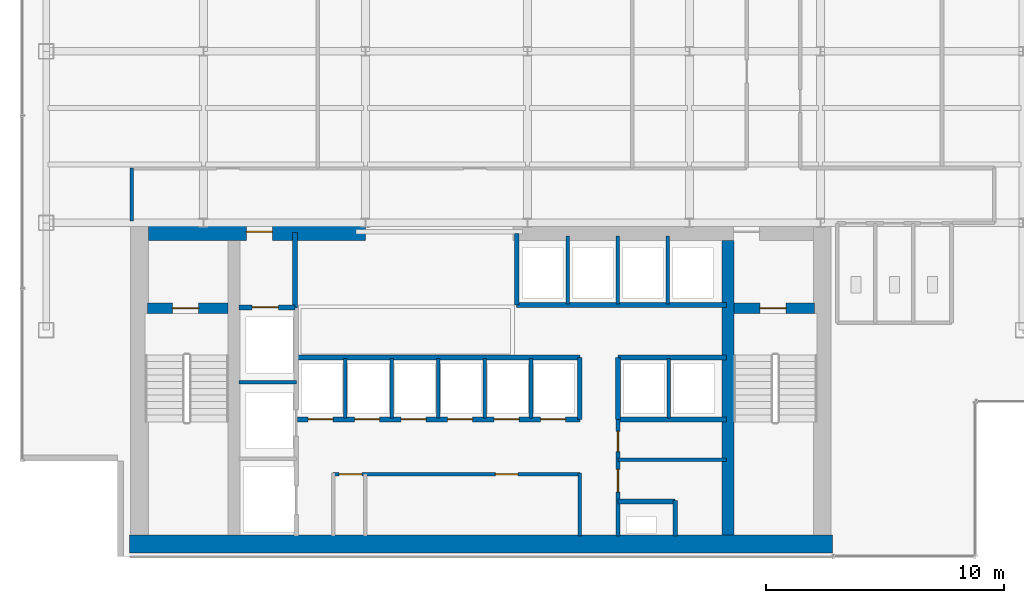
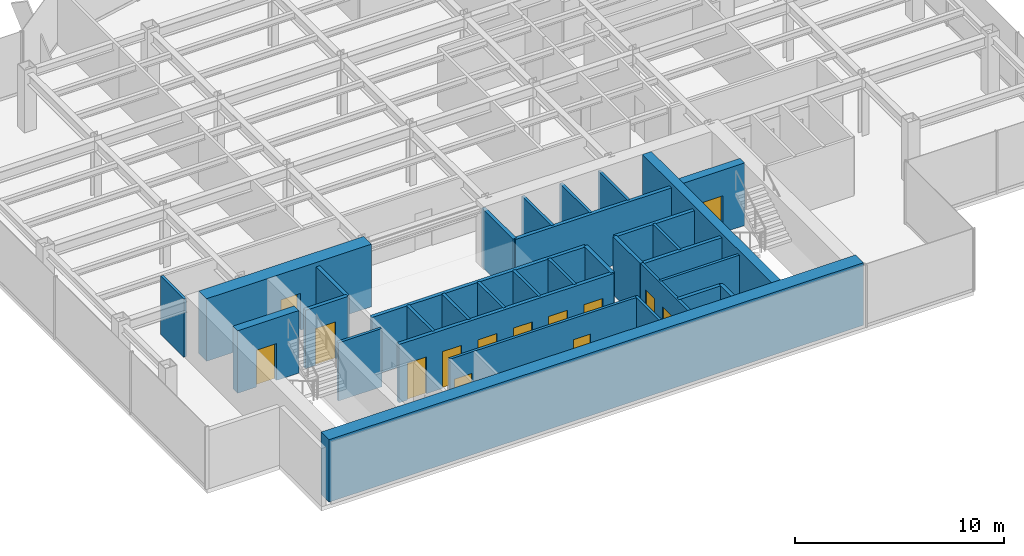
# One storey, part 20 of 25: 32 walls, 14 doors, 14 openings.
"""IFC4 building model written with IfcOpenShell, lengths in metres."""

import ifcopenshell
import ifcopenshell.guid

model = None  # the IFC model being written
_history = None  # IfcOwnerHistory: only IFC2X3 demands one
_inside = {}  # id of a spatial element -> (the spatial element, [elements in it])
_under = {}  # id of a project, library or spatial element -> (it, [spatial elements below it])
_declared = {}  # id of a project -> (the project, [libraries it declares])
_typed = {}  # id of a type object -> (the type object, [elements of that type])
_made_of = {}  # id of a material, layer set ... -> (it, [elements and type objects made of it])


def new_model(schema):
    """Start an empty IFC model of exactly this schema.

    Asked for "IFC4X3", IfcOpenShell would pick the latest addendum, in which some entities
    have other attributes; the version numbers below select the first issue.
    IFC2X3 requires an IfcOwnerHistory on every rooted entity: one is made here for all.
    """
    global model, _history
    if schema == "IFC4X3":
        model = ifcopenshell.file(schema_version=(4, 3, 0, 0))
    else:
        model = ifcopenshell.file(schema=schema)
    _inside.clear()
    _under.clear()
    _declared.clear()
    _typed.clear()
    _made_of.clear()
    _history = None
    if model.schema == "IFC2X3":
        org = make("IfcOrganization", Name="unknown")
        user = make(
            "IfcPersonAndOrganization",
            ThePerson=make("IfcPerson", FamilyName="unknown"),
            TheOrganization=org,
        )
        app = make(
            "IfcApplication",
            ApplicationDeveloper=org,
            Version="unknown",
            ApplicationFullName="unknown",
            ApplicationIdentifier="unknown",
        )
        _history = make(
            "IfcOwnerHistory",
            OwningUser=user,
            OwningApplication=app,
            ChangeAction="ADDED",
            CreationDate=0,
        )
    return model


def make(cls, **values):
    """One entity of the class cls with the attributes given. An attribute that is None is left unset."""
    return model.create_entity(
        cls, **{name: value for name, value in values.items() if value is not None}
    )


def rooted(cls, **values):
    """An entity with a GlobalId (a new one), such as an element, a storey or a relation."""
    return make(cls, GlobalId=ifcopenshell.guid.new(), OwnerHistory=_history, **values)


def si_unit(unit_type, name, prefix=None):
    """IfcSIUnit, for example si_unit("LENGTHUNIT", "METRE", prefix="MILLI")."""
    return make("IfcSIUnit", UnitType=unit_type, Prefix=prefix, Name=name)


def derived_unit(unit_type, elements):
    """IfcDerivedUnit: a product of units, each with its exponent."""
    return make(
        "IfcDerivedUnit",
        Elements=[
            make("IfcDerivedUnitElement", Unit=unit, Exponent=power)
            for unit, power in elements
        ],
        UnitType=unit_type,
    )


def assignment(units):
    """IfcUnitAssignment: the units of a project."""
    return None if units is None else make("IfcUnitAssignment", Units=units)


def point(xyz):
    """IfcCartesianPoint."""
    return None if xyz is None else make("IfcCartesianPoint", Coordinates=xyz)


def direction(xyz):
    """IfcDirection."""
    return None if xyz is None else make("IfcDirection", DirectionRatios=xyz)


def frame(location, z_axis=None, x_axis=None):
    """IfcAxis2Placement3D, a coordinate frame: its origin and axes. An axis left out is left unset."""
    return make(
        "IfcAxis2Placement3D",
        Location=point(location),
        Axis=direction(z_axis),
        RefDirection=direction(x_axis),
    )


def frame_2d(location, x_axis=None):
    """IfcAxis2Placement2D, a coordinate frame in the plane: its origin and x axis."""
    return make(
        "IfcAxis2Placement2D", Location=point(location), RefDirection=direction(x_axis)
    )


def origin():
    """The frame at (0, 0, 0) with its axes left unset."""
    return frame((0.0, 0.0, 0.0))


def place(relative_to, where):
    """IfcLocalPlacement: puts the frame where relative to a parent placement (None: the world)."""
    return make(
        "IfcLocalPlacement", PlacementRelTo=relative_to, RelativePlacement=where
    )


def context(
    kind, dimensions, precision=None, world=None, true_north=None, identifier=None
):
    """IfcGeometricRepresentationContext, for example the 3D "Model" context."""
    return make(
        "IfcGeometricRepresentationContext",
        ContextIdentifier=identifier,
        ContextType=kind,
        CoordinateSpaceDimension=dimensions,
        Precision=precision,
        WorldCoordinateSystem=world,
        TrueNorth=true_north,
    )


def subcontext(parent, identifier, kind, view, scale=None):
    """IfcGeometricRepresentationSubContext, for example "Body" below "Model"."""
    return make(
        "IfcGeometricRepresentationSubContext",
        ContextIdentifier=identifier,
        ContextType=kind,
        ParentContext=parent,
        TargetScale=scale,
        TargetView=view,
    )


def project(units=None, contexts=None):
    """IfcProject with its units and contexts."""
    return rooted(
        "IfcProject",
        Name="project",
        RepresentationContexts=contexts,
        UnitsInContext=assignment(units),
    )


def spatial(cls, under=None, at=None, **own):
    """A site, building, storey or space (cls), placed at a placement, below another one or the project."""
    s = rooted(cls, ObjectPlacement=at, **own)
    if under is not None:
        _under.setdefault(under.id(), (under, []))[1].append(s)
    return s


def profile(cls, at=None, kind="AREA", **sizes):
    """A parametric profile (cls). Its sizes go by their IFC names, for example OverallWidth=200.0."""
    return make(cls, ProfileType=kind, Position=at, **sizes)


def rectangle(**sizes):
    """IfcRectangleProfileDef."""
    return profile("IfcRectangleProfileDef", **sizes)


def extrude(swept, where, along, depth):
    """IfcExtrudedAreaSolid: the profile swept, set in the frame where, extruded along a direction by depth."""
    return make(
        "IfcExtrudedAreaSolid",
        SweptArea=swept,
        Position=where,
        ExtrudedDirection=direction(along),
        Depth=depth,
    )


def shape(context_of_items, identifier, shape_type, items):
    """IfcShapeRepresentation: the items that make up one representation, for example the "Body"."""
    return make(
        "IfcShapeRepresentation",
        ContextOfItems=context_of_items,
        RepresentationIdentifier=identifier,
        RepresentationType=shape_type,
        Items=items,
    )


def source(mapping_origin, context_of_items, identifier, shape_type, items):
    """IfcRepresentationMap: a shape defined once, which mapped items show again and again."""
    return make(
        "IfcRepresentationMap",
        MappingOrigin=mapping_origin,
        MappedRepresentation=shape(context_of_items, identifier, shape_type, items),
    )


def transform(
    local_origin,
    x_axis=None,
    y_axis=None,
    z_axis=None,
    scale=None,
    scale2=None,
    scale3=None,
    uniform=True,
):
    """IfcCartesianTransformationOperator3D, or its non-uniform kind. x_axis, y_axis, z_axis: its Axis1, 2, 3."""
    if uniform:
        return make(
            "IfcCartesianTransformationOperator3D",
            Axis1=direction(x_axis),
            Axis2=direction(y_axis),
            LocalOrigin=point(local_origin),
            Scale=scale,
            Axis3=direction(z_axis),
        )
    return make(
        "IfcCartesianTransformationOperator3DnonUniform",
        Axis1=direction(x_axis),
        Axis2=direction(y_axis),
        LocalOrigin=point(local_origin),
        Scale=scale,
        Axis3=direction(z_axis),
        Scale2=scale2,
        Scale3=scale3,
    )


def mapped(mapping_source, mapping_target):
    """IfcMappedItem: shows the shape of a source again, moved by a transform."""
    return make(
        "IfcMappedItem", MappingSource=mapping_source, MappingTarget=mapping_target
    )


def material(Name=None, Category=None):
    """IfcMaterial."""
    return make("IfcMaterial", Name=Name, Category=Category)


def layer(
    of_material, thickness, ventilated=None, Name=None, Category=None, Priority=None
):
    """IfcMaterialLayer: one layer of a wall or slab, of a material (None: an air gap)."""
    return make(
        "IfcMaterialLayer",
        Material=of_material,
        LayerThickness=thickness,
        IsVentilated=ventilated,
        Name=Name,
        Category=Category,
        Priority=Priority,
    )


def layer_set(layers, Name=None):
    """IfcMaterialLayerSet."""
    return make("IfcMaterialLayerSet", MaterialLayers=layers, LayerSetName=Name)


def made_of(thing, what):
    """Note that an element or type object is made of a material, layer set ...; save() writes the relation."""
    if what is not None:
        _made_of.setdefault(what.id(), (what, []))[1].append(thing)
    return thing


def type_object(cls, material=None, **own):
    """A type object (cls), such as IfcWallType, which elements share."""
    return made_of(rooted(cls, **own), material)


def element(
    cls,
    number,
    at=None,
    inside=None,
    cuts=None,
    type_object=None,
    material=None,
    context=None,
    identifier="Body",
    shape_type=None,
    held_by="IfcProductDefinitionShape",
    body=None,
    shapes=None,
    **own,
):
    """One element of the class cls, such as IfcWall. Its Tag is "e" and its number.

    at: its placement. inside: the storey or other place that contains it. cuts: it is an
    opening in that element (IfcRelVoidsElement). A single representation is given by context,
    identifier, shape_type and body (its items); several are given by shapes. held_by: the class
    of the entity that holds the representations. save() writes the other relations.
    """
    e = rooted(cls, Tag="e%d" % number, ObjectPlacement=at, **own)
    if body is not None:
        shapes = [shape(context, identifier, shape_type, body)]
    if shapes is not None:
        e.Representation = make(held_by, Representations=shapes)
    if inside is not None:
        _inside.setdefault(inside.id(), (inside, []))[1].append(e)
    if cuts is not None:
        rooted(
            "IfcRelVoidsElement", RelatingBuildingElement=cuts, RelatedOpeningElement=e
        )
    if type_object is not None:
        _typed.setdefault(type_object.id(), (type_object, []))[1].append(e)
    return made_of(e, material)


def fill(opening, filler):
    """IfcRelFillsElement: the door or window that sits in an opening."""
    return rooted(
        "IfcRelFillsElement",
        RelatingOpeningElement=opening,
        RelatedBuildingElement=filler,
    )


def aggregate(whole, parts):
    """IfcRelAggregates: a whole, such as a stair, and the parts it consists of."""
    return rooted("IfcRelAggregates", RelatingObject=whole, RelatedObjects=parts)


def save(model, path):
    """Write the relations noted so far, then the file.

    IfcRelAggregates (storeys below a building ...), IfcRelContainedInSpatialStructure (elements
    in a storey), IfcRelDefinesByType, IfcRelAssociatesMaterial and IfcRelDeclares: one each for
    every whole, place, type object, material and project.
    """
    for whole, parts in _under.values():
        aggregate(whole, parts)
    for where, things in _inside.values():
        rooted(
            "IfcRelContainedInSpatialStructure",
            RelatedElements=things,
            RelatingStructure=where,
        )
    for kind, things in _typed.values():
        rooted("IfcRelDefinesByType", RelatedObjects=things, RelatingType=kind)
    for what, things in _made_of.values():
        rooted("IfcRelAssociatesMaterial", RelatedObjects=things, RelatingMaterial=what)
    for by, libraries in _declared.values():
        rooted("IfcRelDeclares", RelatingContext=by, RelatedDefinitions=libraries)
    model.write(path)


model = new_model("IFC4")

# Units and contexts
model_context = context("Model", 3, precision=1e-05, world=origin(), true_north=direction((0.0, 1.0)))
body_context = subcontext(model_context, "Body", "Model", "MODEL_VIEW")
ifc_project = project(units=[si_unit("LENGTHUNIT", "METRE"), si_unit("AREAUNIT", "SQUARE_METRE"), si_unit("VOLUMEUNIT", "CUBIC_METRE"), si_unit("PLANEANGLEUNIT", "RADIAN"), si_unit("MASSUNIT", "GRAM", prefix="KILO"), derived_unit("THERMALTRANSMITTANCEUNIT", [(si_unit("POWERUNIT", "WATT"), 1), (si_unit("LENGTHUNIT", "METRE"), -2), (si_unit("THERMODYNAMICTEMPERATUREUNIT", "KELVIN"), -1)])], contexts=[model_context])

# Site, building, storey
site_placement = place(None, origin())
site = spatial("IfcSite", under=ifc_project, at=site_placement, CompositionType="ELEMENT")
building_placement = place(site_placement, origin())
building = spatial("IfcBuilding", under=site, at=building_placement, Name="Skarnbrae Concourse Arena and Tower", CompositionType="ELEMENT")
storey_placement = place(building_placement, frame((0.0, 0.0, 151.550048828125)))
storey = spatial("IfcBuildingStorey", under=building, at=storey_placement, Name="L38", CompositionType="ELEMENT", Elevation=151.550048828125)

# Wall, opening, door
ifc_material_1 = material(Name="Concrete 50 MPa (C50/60)", Category="concrete")
ifc_layer_1 = layer(ifc_material_1, 0.449951171875)
ifc_layer_set_1 = layer_set([ifc_layer_1], Name="Concrete 50 MPa (C50/60)")
wall_type_1 = type_object("IfcWallType", Name="WALL-CORE-450-C50", PredefinedType="SHEAR", material=ifc_layer_set_1)
shared_shape_1 = source(origin(), body_context, "Body", "SweptSolid", [
    extrude(rectangle(XDim=3.389892578125, YDim=0.449951171875, at=frame_2d((1.69482421875, 0.0))), origin(), (0.0, 0.0, 1.0), 3.64990234375),
])
wall_1_placement = place(storey_placement, frame((5.25, 10.419921875, 0.0), z_axis=(0.0, 0.0, 1.0), x_axis=(1.0, 0.0, 0.0)))
wall_1 = element("IfcWall", 1, at=wall_1_placement, inside=storey, type_object=wall_type_1, Name="L38 Rear core shear wall CW-ST1-N", PredefinedType="SHEAR", context=body_context, shape_type="MappedRepresentation", body=[
    mapped(shared_shape_1, transform((0.0, 0.0, 0.0))),
])
opening_1_placement = place(wall_1_placement, frame((1.050048828125, 0.0, 0.0)))
opening_1 = element("IfcOpeningElement", 2, at=opening_1_placement, cuts=wall_1, Name="Opening DT-03", PredefinedType="OPENING", context=body_context, shape_type="SweptSolid", body=[
    extrude(rectangle(XDim=1.10009765625, YDim=2.14990234375, at=frame_2d((0.550048828125, 1.074951171875))), frame((0.0, 0.23486328125, 0.0), z_axis=(0.0, -1.0, 0.0), x_axis=(1.0, 0.0, 0.0)), (0.0, 0.0, 1.0), 0.469970703125),
])
ifc_material_2 = material(Name="Steel CSA G40.21 350W", Category="steel")
door_type_1 = type_object("IfcDoorType", Name="DOOR-FIRE-1100-90M", OperationType="NOTDEFINED", PredefinedType="DOOR", material=ifc_material_2)
shared_shape_2 = source(origin(), body_context, "Body", "SweptSolid", [
    extrude(rectangle(XDim=1.10009765625, YDim=2.14990234375, at=frame_2d((0.550048828125, 1.074951171875))), frame((0.0, 0.02490234375, 0.0), z_axis=(0.0, -1.0, 0.0), x_axis=(1.0, 0.0, 0.0)), (0.0, 0.0, 1.0), 0.050048828125),
])
door_1_placement = place(opening_1_placement, frame((1.10009765625, 0.0, 0.0), z_axis=(0.0, 0.0, 1.0), x_axis=(-1.0, 0.0, 0.0)))
door_1 = element("IfcDoor", 3, at=door_1_placement, inside=storey, type_object=door_type_1, Name="D-1180 Stair ST-1 Door", OperationType="SINGLE_SWING_LEFT", OverallHeight=2.14990234375, OverallWidth=1.10009765625, PredefinedType="DOOR", context=body_context, shape_type="MappedRepresentation", body=[
    mapped(shared_shape_2, transform((0.0, 0.0, 0.0))),
])
fill(opening_1, door_1)

wall_2_placement = place(storey_placement, frame((29.860107421875, 10.419921875, 0.0), z_axis=(0.0, 0.0, 1.0), x_axis=(1.0, 0.0, 0.0)))
wall_2 = element("IfcWall", 4, at=wall_2_placement, inside=storey, type_object=wall_type_1, Name="L38 Rear core shear wall CW-ST2-N", PredefinedType="SHEAR", context=body_context, shape_type="MappedRepresentation", body=[
    mapped(shared_shape_1, transform((0.0, 0.0, 0.0))),
])
opening_2_placement = place(wall_2_placement, frame((1.10009765625, 0.0, 0.0)))
opening_2 = element("IfcOpeningElement", 5, at=opening_2_placement, cuts=wall_2, Name="Opening DT-03", PredefinedType="OPENING", context=body_context, shape_type="SweptSolid", body=[
    extrude(rectangle(XDim=1.10009765625, YDim=2.14990234375, at=frame_2d((0.550048828125, 1.074951171875))), frame((0.0, 0.23486328125, 0.0), z_axis=(0.0, -1.0, 0.0), x_axis=(1.0, 0.0, 0.0)), (0.0, 0.0, 1.0), 0.469970703125),
])
door_2_placement = place(opening_2_placement, frame((1.10009765625, 0.0, 0.0), z_axis=(0.0, 0.0, 1.0), x_axis=(-1.0, 0.0, 0.0)))
door_2 = element("IfcDoor", 6, at=door_2_placement, inside=storey, type_object=door_type_1, Name="D-1181 Stair ST-2 Door", OperationType="SINGLE_SWING_RIGHT", OverallHeight=2.14990234375, OverallWidth=1.10009765625, PredefinedType="DOOR", context=body_context, shape_type="MappedRepresentation", body=[
    mapped(shared_shape_2, transform((0.0, 0.0, 0.0))),
])
fill(opening_2, door_2)

# Wall
ifc_material_3 = material(Name="Concrete 60 MPa (C60/75)", Category="concrete")
ifc_layer_2 = layer(ifc_material_3, 0.75)
ifc_layer_set_2 = layer_set([ifc_layer_2], Name="Concrete 60 MPa (C60/75)")
wall_type_2 = type_object("IfcWallType", Name="WALL-CORE-750-C60", PredefinedType="SHEAR", material=ifc_layer_set_2)
shared_shape_3 = source(origin(), body_context, "Body", "SweptSolid", [
    extrude(rectangle(XDim=29.5, YDim=0.75, at=frame_2d((14.75, 0.0))), origin(), (0.0, 0.0, 1.0), 3.64990234375),
])
wall_3_placement = place(storey_placement, frame((4.5, 0.52490234375, 0.0), z_axis=(0.0, 0.0, 1.0), x_axis=(1.0, 0.0, 0.0)))
element("IfcWall", 7, at=wall_3_placement, inside=storey, type_object=wall_type_2, Name="L38 Rear core shear wall CW-S", PredefinedType="SHEAR", context=body_context, shape_type="MappedRepresentation", body=[
    mapped(shared_shape_3, transform((0.0, 0.0, 0.0))),
])

# Wall, opening, door
shared_shape_4 = source(origin(), body_context, "Body", "SweptSolid", [
    extrude(rectangle(XDim=9.099853515625, YDim=0.75, at=frame_2d((4.5498046875, 0.0))), origin(), (0.0, 0.0, 1.0), 3.64990234375),
])
wall_4_placement = place(storey_placement, frame((5.300048828125, 13.625, 0.0), z_axis=(0.0, 0.0, 1.0), x_axis=(1.0, 0.0, 0.0)))
wall_4 = element("IfcWall", 8, at=wall_4_placement, inside=storey, type_object=wall_type_2, Name="L38 Rear core shear wall CW-NW", PredefinedType="SHEAR", context=body_context, shape_type="MappedRepresentation", body=[
    mapped(shared_shape_4, transform((0.0, 0.0, 0.0))),
])
opening_3_placement = place(wall_4_placement, frame((4.10009765625, 0.0, 0.0)))
opening_3 = element("IfcOpeningElement", 9, at=opening_3_placement, cuts=wall_4, Name="Opening DT-03", PredefinedType="OPENING", context=body_context, shape_type="SweptSolid", body=[
    extrude(rectangle(XDim=1.10009765625, YDim=2.14990234375, at=frame_2d((0.550048828125, 1.074951171875))), frame((0.0, 0.385009765625, 0.0), z_axis=(0.0, -1.0, 0.0), x_axis=(1.0, 0.0, 0.0)), (0.0, 0.0, 1.0), 0.77001953125),
])
door_3_placement = place(opening_3_placement, origin())
door_3 = element("IfcDoor", 10, at=door_3_placement, inside=storey, type_object=door_type_1, Name="D-1182 Firefighting Lobby Exit Door", OperationType="SINGLE_SWING_RIGHT", OverallHeight=2.14990234375, OverallWidth=1.10009765625, PredefinedType="DOOR", context=body_context, shape_type="MappedRepresentation", body=[
    mapped(shared_shape_2, transform((0.0, 0.0, 0.0))),
])
fill(opening_3, door_3)

# Walls
ifc_layer_3 = layer(ifc_material_3, 0.5)
ifc_layer_set_3 = layer_set([ifc_layer_3], Name="Concrete 60 MPa (C60/75)")
wall_type_3 = type_object("IfcWallType", Name="WALL-CORE-500-C60", PredefinedType="SHEAR", material=ifc_layer_set_3)
shared_shape_5 = source(origin(), body_context, "Body", "SweptSolid", [
    extrude(rectangle(XDim=12.35009765625, YDim=0.5, at=frame_2d((6.175048828125, 0.0))), origin(), (0.0, 0.0, 1.0), 3.64990234375),
])
wall_5_placement = place(storey_placement, frame((29.610107421875, 0.89990234375, 0.0), z_axis=(0.0, 0.0, 1.0), x_axis=(0.0, 1.0, 0.0)))
element("IfcWall", 11, at=wall_5_placement, inside=storey, type_object=wall_type_3, Name="L38 Rear core shear wall CW-WEB-E", PredefinedType="SHEAR", context=body_context, shape_type="MappedRepresentation", body=[
    mapped(shared_shape_5, transform((0.0, 0.0, 0.0))),
])
ifc_material_4 = material(Name="Gypsum board on cold-formed steel studs", Category="steel")
ifc_layer_4 = layer(ifc_material_4, 0.199951171875)
ifc_layer_set_4 = layer_set([ifc_layer_4], Name="Gypsum board on cold-formed steel studs")
wall_type_4 = type_object("IfcWallType", Name="WALL-PART-200-2HR", PredefinedType="PARTITIONING", material=ifc_layer_set_4)
shared_shape_6 = source(origin(), body_context, "Body", "SweptSolid", [
    extrude(rectangle(XDim=3.18017578125, YDim=0.199951171875, at=frame_2d((1.590087890625, 0.0))), origin(), (0.0, 0.0, 1.0), 3.39990234375),
])
wall_6_placement = place(storey_placement, frame((11.449951171875, 10.419921875, 0.0), z_axis=(0.0, 0.0, 1.0), x_axis=(0.0, 1.0, 0.0)))
element("IfcWall", 12, at=wall_6_placement, inside=storey, type_object=wall_type_4, Name="L38 Interior partition wall W-L38-FFL-E", PredefinedType="PARTITIONING", context=body_context, shape_type="MappedRepresentation", body=[
    mapped(shared_shape_6, transform((0.0, 0.0, 0.0))),
])

# Wall, opening, door
shared_shape_7 = source(origin(), body_context, "Body", "SweptSolid", [
    extrude(rectangle(XDim=2.349853515625, YDim=0.199951171875, at=frame_2d((1.1748046875, 0.0))), origin(), (0.0, 0.0, 1.0), 3.39990234375),
])
wall_7_placement = place(storey_placement, frame((9.10009765625, 10.449951171875, 0.0), z_axis=(0.0, 0.0, 1.0), x_axis=(1.0, 0.0, 0.0)))
wall_7 = element("IfcWall", 13, at=wall_7_placement, inside=storey, type_object=wall_type_4, Name="L38 Interior partition wall W-L38-FL1-N", PredefinedType="PARTITIONING", context=body_context, shape_type="MappedRepresentation", body=[
    mapped(shared_shape_7, transform((0.0, 0.0, 0.0))),
])
opening_4_placement = place(wall_7_placement, frame((0.550048828125, 0.0, 0.0)))
opening_4 = element("IfcOpeningElement", 14, at=opening_4_placement, cuts=wall_7, Name="Opening LD-01", PredefinedType="OPENING", context=body_context, shape_type="SweptSolid", body=[
    extrude(rectangle(XDim=1.10009765625, YDim=2.14990234375, at=frame_2d((0.550048828125, 1.074951171875))), frame((0.0, 0.10986328125, 0.0), z_axis=(0.0, -1.0, 0.0), x_axis=(1.0, 0.0, 0.0)), (0.0, 0.0, 1.0), 0.219970703125),
])
door_type_2 = type_object("IfcDoorType", Name="DOOR-LIFT-SLIDE-1100", OperationType="SLIDING_TO_LEFT", PredefinedType="DOOR", material=ifc_material_2)
door_4_placement = place(opening_4_placement, origin())
door_4 = element("IfcDoor", 15, at=door_4_placement, inside=storey, type_object=door_type_2, Name="D-1184 Firefighting Lift Landing Door FL-01", OperationType="SLIDING_TO_LEFT", OverallHeight=2.14990234375, OverallWidth=1.10009765625, PredefinedType="DOOR", context=body_context, shape_type="MappedRepresentation", body=[
    mapped(shared_shape_2, transform((0.0, 0.0, 0.0))),
])
fill(opening_4, door_4)

# Wall
ifc_layer_5 = layer(ifc_material_4, 0.14990234375)
ifc_layer_set_5 = layer_set([ifc_layer_5], Name="Gypsum board on cold-formed steel studs")
wall_type_5 = type_object("IfcWallType", Name="WALL-PART-150", PredefinedType="PARTITIONING", material=ifc_layer_set_5)
shared_shape_8 = source(origin(), body_context, "Body", "SweptSolid", [
    extrude(rectangle(XDim=2.39990234375, YDim=0.14990234375, at=frame_2d((1.199951171875, 0.0))), origin(), (0.0, 0.0, 1.0), 3.39990234375),
])
wall_8_placement = place(storey_placement, frame((9.10009765625, 7.300048828125, 0.0), z_axis=(0.0, 0.0, 1.0), x_axis=(1.0, 0.0, 0.0)))
element("IfcWall", 16, at=wall_8_placement, inside=storey, type_object=wall_type_5, Name="L38 Interior partition wall W-L38-FL-D2", PredefinedType="PARTITIONING", context=body_context, shape_type="MappedRepresentation", body=[
    mapped(shared_shape_8, transform((0.0, 0.0, 0.0))),
])

# Wall, openings, doors
shared_shape_9 = source(origin(), body_context, "Body", "SweptSolid", [
    extrude(rectangle(XDim=11.849853515625, YDim=0.199951171875, at=frame_2d((5.9248046875, 0.0))), origin(), (0.0, 0.0, 1.0), 3.39990234375),
])
wall_9_placement = place(storey_placement, frame((11.550048828125, 5.75, 0.0), z_axis=(0.0, 0.0, 1.0), x_axis=(1.0, 0.0, 0.0)))
wall_9 = element("IfcWall", 17, at=wall_9_placement, inside=storey, type_object=wall_type_4, Name="L38 Interior partition wall W-L38-B2-S", PredefinedType="PARTITIONING", context=body_context, shape_type="MappedRepresentation", body=[
    mapped(shared_shape_9, transform((0.0, 0.0, 0.0))),
])
opening_5_placement = place(wall_9_placement, frame((0.449951171875, 0.0, 0.0)))
opening_5 = element("IfcOpeningElement", 18, at=opening_5_placement, cuts=wall_9, Name="Opening LD-03", PredefinedType="OPENING", context=body_context, shape_type="SweptSolid", body=[
    extrude(rectangle(XDim=1.050048828125, YDim=2.14990234375, at=frame_2d((0.52490234375, 1.074951171875))), frame((0.0, 0.10986328125, 0.0), z_axis=(0.0, -1.0, 0.0), x_axis=(1.0, 0.0, 0.0)), (0.0, 0.0, 1.0), 0.219970703125),
])
opening_6_placement = place(wall_9_placement, frame((2.39990234375, 0.0, 0.0)))
opening_6 = element("IfcOpeningElement", 19, at=opening_6_placement, cuts=wall_9, Name="Opening LD-03", PredefinedType="OPENING", context=body_context, shape_type="SweptSolid", body=[
    extrude(rectangle(XDim=1.050048828125, YDim=2.14990234375, at=frame_2d((0.52490234375, 1.074951171875))), frame((0.0, 0.10986328125, 0.0), z_axis=(0.0, -1.0, 0.0), x_axis=(1.0, 0.0, 0.0)), (0.0, 0.0, 1.0), 0.219970703125),
])
opening_7_placement = place(wall_9_placement, frame((4.35009765625, 0.0, 0.0)))
opening_7 = element("IfcOpeningElement", 20, at=opening_7_placement, cuts=wall_9, Name="Opening LD-03", PredefinedType="OPENING", context=body_context, shape_type="SweptSolid", body=[
    extrude(rectangle(XDim=1.050048828125, YDim=2.14990234375, at=frame_2d((0.52490234375, 1.074951171875))), frame((0.0, 0.10986328125, 0.0), z_axis=(0.0, -1.0, 0.0), x_axis=(1.0, 0.0, 0.0)), (0.0, 0.0, 1.0), 0.219970703125),
])
opening_8_placement = place(wall_9_placement, frame((6.300048828125, 0.0, 0.0)))
opening_8 = element("IfcOpeningElement", 21, at=opening_8_placement, cuts=wall_9, Name="Opening LD-03", PredefinedType="OPENING", context=body_context, shape_type="SweptSolid", body=[
    extrude(rectangle(XDim=1.050048828125, YDim=2.14990234375, at=frame_2d((0.52490234375, 1.074951171875))), frame((0.0, 0.10986328125, 0.0), z_axis=(0.0, -1.0, 0.0), x_axis=(1.0, 0.0, 0.0)), (0.0, 0.0, 1.0), 0.219970703125),
])
opening_9_placement = place(wall_9_placement, frame((8.25, 0.0, 0.0)))
opening_9 = element("IfcOpeningElement", 22, at=opening_9_placement, cuts=wall_9, Name="Opening LD-03", PredefinedType="OPENING", context=body_context, shape_type="SweptSolid", body=[
    extrude(rectangle(XDim=1.050048828125, YDim=2.14990234375, at=frame_2d((0.52490234375, 1.074951171875))), frame((0.0, 0.10986328125, 0.0), z_axis=(0.0, -1.0, 0.0), x_axis=(1.0, 0.0, 0.0)), (0.0, 0.0, 1.0), 0.219970703125),
])
opening_10_placement = place(wall_9_placement, frame((10.199951171875, 0.0, 0.0)))
opening_10 = element("IfcOpeningElement", 23, at=opening_10_placement, cuts=wall_9, Name="Opening LD-03", PredefinedType="OPENING", context=body_context, shape_type="SweptSolid", body=[
    extrude(rectangle(XDim=1.050048828125, YDim=2.14990234375, at=frame_2d((0.52490234375, 1.074951171875))), frame((0.0, 0.10986328125, 0.0), z_axis=(0.0, -1.0, 0.0), x_axis=(1.0, 0.0, 0.0)), (0.0, 0.0, 1.0), 0.219970703125),
])
ifc_material_5 = material(Name="Bronze anodised aluminium 6063-T6", Category="aluminium")
door_type_3 = type_object("IfcDoorType", Name="DOOR-LIFT-SLIDE-1050", OperationType="SLIDING_TO_LEFT", PredefinedType="DOOR", material=ifc_material_5)
shared_shape_10 = source(origin(), body_context, "Body", "SweptSolid", [
    extrude(rectangle(XDim=1.050048828125, YDim=2.14990234375, at=frame_2d((0.52490234375, 1.074951171875))), frame((0.0, 0.02490234375, 0.0), z_axis=(0.0, -1.0, 0.0), x_axis=(1.0, 0.0, 0.0)), (0.0, 0.0, 1.0), 0.050048828125),
])
door_5_placement = place(opening_5_placement, frame((1.050048828125, 0.0, 0.0), z_axis=(0.0, 0.0, 1.0), x_axis=(-1.0, 0.0, 0.0)))
door_5 = element("IfcDoor", 24, at=door_5_placement, inside=storey, type_object=door_type_3, Name="D-1189 Passenger Lift Landing Door PL-2A", OperationType="SLIDING_TO_LEFT", OverallHeight=2.14990234375, OverallWidth=1.050048828125, PredefinedType="DOOR", context=body_context, shape_type="MappedRepresentation", body=[
    mapped(shared_shape_10, transform((0.0, 0.0, 0.0))),
])
fill(opening_5, door_5)
door_6_placement = place(opening_6_placement, frame((1.050048828125, 0.0, 0.0), z_axis=(0.0, 0.0, 1.0), x_axis=(-1.0, 0.0, 0.0)))
door_6 = element("IfcDoor", 25, at=door_6_placement, inside=storey, type_object=door_type_3, Name="D-1190 Passenger Lift Landing Door PL-2B", OperationType="SLIDING_TO_LEFT", OverallHeight=2.14990234375, OverallWidth=1.050048828125, PredefinedType="DOOR", context=body_context, shape_type="MappedRepresentation", body=[
    mapped(shared_shape_10, transform((0.0, 0.0, 0.0))),
])
fill(opening_6, door_6)
door_7_placement = place(opening_7_placement, frame((1.050048828125, 0.0, 0.0), z_axis=(0.0, 0.0, 1.0), x_axis=(-1.0, 0.0, 0.0)))
door_7 = element("IfcDoor", 26, at=door_7_placement, inside=storey, type_object=door_type_3, Name="D-1191 Passenger Lift Landing Door PL-2C", OperationType="SLIDING_TO_LEFT", OverallHeight=2.14990234375, OverallWidth=1.050048828125, PredefinedType="DOOR", context=body_context, shape_type="MappedRepresentation", body=[
    mapped(shared_shape_10, transform((0.0, 0.0, 0.0))),
])
fill(opening_7, door_7)
door_8_placement = place(opening_8_placement, frame((1.050048828125, 0.0, 0.0), z_axis=(0.0, 0.0, 1.0), x_axis=(-1.0, 0.0, 0.0)))
door_8 = element("IfcDoor", 27, at=door_8_placement, inside=storey, type_object=door_type_3, Name="D-1192 Passenger Lift Landing Door PL-2D", OperationType="SLIDING_TO_LEFT", OverallHeight=2.14990234375, OverallWidth=1.050048828125, PredefinedType="DOOR", context=body_context, shape_type="MappedRepresentation", body=[
    mapped(shared_shape_10, transform((0.0, 0.0, 0.0))),
])
fill(opening_8, door_8)
door_9_placement = place(opening_9_placement, frame((1.050048828125, 0.0, 0.0), z_axis=(0.0, 0.0, 1.0), x_axis=(-1.0, 0.0, 0.0)))
door_9 = element("IfcDoor", 28, at=door_9_placement, inside=storey, type_object=door_type_3, Name="D-1193 Passenger Lift Landing Door PL-2E", OperationType="SLIDING_TO_LEFT", OverallHeight=2.14990234375, OverallWidth=1.050048828125, PredefinedType="DOOR", context=body_context, shape_type="MappedRepresentation", body=[
    mapped(shared_shape_10, transform((0.0, 0.0, 0.0))),
])
fill(opening_9, door_9)
door_10_placement = place(opening_10_placement, frame((1.050048828125, 0.0, 0.0), z_axis=(0.0, 0.0, 1.0), x_axis=(-1.0, 0.0, 0.0)))
door_10 = element("IfcDoor", 29, at=door_10_placement, inside=storey, type_object=door_type_3, Name="D-1194 Passenger Lift Landing Door PL-2F", OperationType="SLIDING_TO_LEFT", OverallHeight=2.14990234375, OverallWidth=1.050048828125, PredefinedType="DOOR", context=body_context, shape_type="MappedRepresentation", body=[
    mapped(shared_shape_10, transform((0.0, 0.0, 0.0))),
])
fill(opening_10, door_10)

# Walls
wall_10_placement = place(storey_placement, frame((11.550048828125, 8.35009765625, 0.0), z_axis=(0.0, 0.0, 1.0), x_axis=(1.0, 0.0, 0.0)))
element("IfcWall", 30, at=wall_10_placement, inside=storey, type_object=wall_type_4, Name="L38 Interior partition wall W-L38-B2-N", PredefinedType="PARTITIONING", context=body_context, shape_type="MappedRepresentation", body=[
    mapped(shared_shape_9, transform((0.0, 0.0, 0.0))),
])
shared_shape_11 = source(origin(), body_context, "Body", "SweptSolid", [
    extrude(rectangle(XDim=2.60009765625, YDim=0.199951171875, at=frame_2d((1.300048828125, 0.0))), origin(), (0.0, 0.0, 1.0), 3.39990234375),
])
for number, where, z_axis, x_axis, name in (
    (31, (23.39990234375, 5.75, 0.0), (0.0, 0.0, 1.0), (0.0, 1.0, 0.0), "L38 Interior partition wall W-L38-B2-E"),
    (32, (25.0, 5.75, 0.0), (0.0, 0.0, 1.0), (0.0, 1.0, 0.0), "L38 Interior partition wall W-L38-B3S-W"),
):
    element("IfcWall", number, at=place(storey_placement, frame(where, z_axis=z_axis, x_axis=x_axis)), inside=storey, type_object=wall_type_4, Name=name, PredefinedType="PARTITIONING", context=body_context, shape_type="MappedRepresentation", body=[
        mapped(shared_shape_11, transform((0.0, 0.0, 0.0))),
    ])
shared_shape_12 = source(origin(), body_context, "Body", "SweptSolid", [
    extrude(rectangle(XDim=2.5, YDim=0.14990234375, at=frame_2d((1.25, 0.0))), origin(), (0.0, 0.0, 1.0), 3.39990234375),
])
for number, where, z_axis, x_axis, name in (
    (33, (13.550048828125, 5.800048828125, 0.0), (0.0, 0.0, 1.0), (0.0, 1.0, 0.0), "L38 Interior partition wall W-L38-B2-P1"),
    (34, (15.5, 5.800048828125, 0.0), (0.0, 0.0, 1.0), (0.0, 1.0, 0.0), "L38 Interior partition wall W-L38-B2-P2"),
    (35, (17.449951171875, 5.800048828125, 0.0), (0.0, 0.0, 1.0), (0.0, 1.0, 0.0), "L38 Interior partition wall W-L38-B2-P3"),
    (36, (19.39990234375, 5.800048828125, 0.0), (0.0, 0.0, 1.0), (0.0, 1.0, 0.0), "L38 Interior partition wall W-L38-B2-P4"),
    (37, (21.35009765625, 5.800048828125, 0.0), (0.0, 0.0, 1.0), (0.0, 1.0, 0.0), "L38 Interior partition wall W-L38-B2-P5"),
    (38, (27.139892578125, 5.800048828125, 0.0), (0.0, 0.0, 1.0), (0.0, 1.0, 0.0), "L38 Interior partition wall W-L38-B3S-P1"),
):
    element("IfcWall", number, at=place(storey_placement, frame(where, z_axis=z_axis, x_axis=x_axis)), inside=storey, type_object=wall_type_5, Name=name, PredefinedType="PARTITIONING", context=body_context, shape_type="MappedRepresentation", body=[
        mapped(shared_shape_12, transform((0.0, 0.0, 0.0))),
    ])
shared_shape_13 = source(origin(), body_context, "Body", "SweptSolid", [
    extrude(rectangle(XDim=8.800048828125, YDim=0.199951171875, at=frame_2d((4.39990234375, 0.0))), origin(), (0.0, 0.0, 1.0), 3.39990234375),
])
wall_11_placement = place(storey_placement, frame((20.75, 10.550048828125, 0.0), z_axis=(0.0, 0.0, 1.0), x_axis=(1.0, 0.0, 0.0)))
element("IfcWall", 39, at=wall_11_placement, inside=storey, type_object=wall_type_4, Name="L38 Interior partition wall W-L38-B3N-S", PredefinedType="PARTITIONING", context=body_context, shape_type="MappedRepresentation", body=[
    mapped(shared_shape_13, transform((0.0, 0.0, 0.0))),
])
shared_shape_14 = source(origin(), body_context, "Body", "SweptSolid", [
    extrude(rectangle(XDim=3.0, YDim=0.199951171875, at=frame_2d((1.5, 0.0))), origin(), (0.0, 0.0, 1.0), 3.39990234375),
])
wall_12_placement = place(storey_placement, frame((20.75, 10.550048828125, 0.0), z_axis=(0.0, 0.0, 1.0), x_axis=(0.0, 1.0, 0.0)))
element("IfcWall", 40, at=wall_12_placement, inside=storey, type_object=wall_type_4, Name="L38 Interior partition wall W-L38-B3N-W", PredefinedType="PARTITIONING", context=body_context, shape_type="MappedRepresentation", body=[
    mapped(shared_shape_14, transform((0.0, 0.0, 0.0))),
])
shared_shape_15 = source(origin(), body_context, "Body", "SweptSolid", [
    extrude(rectangle(XDim=2.849853515625, YDim=0.14990234375, at=frame_2d((1.4248046875, 0.0))), origin(), (0.0, 0.0, 1.0), 3.39990234375),
])
for number, where, z_axis, x_axis, name in (
    (41, (22.889892578125, 10.60009765625, 0.0), (0.0, 0.0, 1.0), (0.0, 1.0, 0.0), "L38 Interior partition wall W-L38-B3N-P1"),
    (42, (24.989990234375, 10.60009765625, 0.0), (0.0, 0.0, 1.0), (0.0, 1.0, 0.0), "L38 Interior partition wall W-L38-B3N-P2"),
    (43, (27.090087890625, 10.60009765625, 0.0), (0.0, 0.0, 1.0), (0.0, 1.0, 0.0), "L38 Interior partition wall W-L38-B3N-P3"),
):
    element("IfcWall", number, at=place(storey_placement, frame(where, z_axis=z_axis, x_axis=x_axis)), inside=storey, type_object=wall_type_5, Name=name, PredefinedType="PARTITIONING", context=body_context, shape_type="MappedRepresentation", body=[
        mapped(shared_shape_15, transform((0.0, 0.0, 0.0))),
    ])
shared_shape_16 = source(origin(), body_context, "Body", "SweptSolid", [
    extrude(rectangle(XDim=4.550048828125, YDim=0.199951171875, at=frame_2d((2.27490234375, 0.0))), origin(), (0.0, 0.0, 1.0), 3.39990234375),
])
for number, where, z_axis, x_axis, name in (
    (44, (25.0, 8.35009765625, 0.0), (0.0, 0.0, 1.0), (1.0, 0.0, 0.0), "L38 Interior partition wall W-L38-B3S-N"),
    (45, (25.0, 5.75, 0.0), (0.0, 0.0, 1.0), (1.0, 0.0, 0.0), "L38 Interior partition wall W-L38-B3S-S"),
):
    element("IfcWall", number, at=place(storey_placement, frame(where, z_axis=z_axis, x_axis=x_axis)), inside=storey, type_object=wall_type_4, Name=name, PredefinedType="PARTITIONING", context=body_context, shape_type="MappedRepresentation", body=[
        mapped(shared_shape_16, transform((0.0, 0.0, 0.0))),
    ])

# Wall, openings, doors
ifc_layer_6 = layer(ifc_material_4, 0.14990234375)
ifc_layer_set_6 = layer_set([ifc_layer_6], Name="Gypsum board on cold-formed steel studs")
wall_type_6 = type_object("IfcWallType", Name="WALL-PART-150-1HR", PredefinedType="PARTITIONING", material=ifc_layer_set_6)
shared_shape_17 = source(origin(), body_context, "Body", "SweptSolid", [
    extrude(rectangle(XDim=4.89990234375, YDim=0.14990234375, at=frame_2d((2.449951171875, 0.0))), origin(), (0.0, 0.0, 1.0), 3.39990234375),
])
wall_13_placement = place(storey_placement, frame((25.0, 0.85009765625, 0.0), z_axis=(0.0, 0.0, 1.0), x_axis=(0.0, 1.0, 0.0)))
wall_13 = element("IfcWall", 46, at=wall_13_placement, inside=storey, type_object=wall_type_6, Name="L38 Interior partition wall W-L38-CSV-W", PredefinedType="PARTITIONING", context=body_context, shape_type="MappedRepresentation", body=[
    mapped(shared_shape_17, transform((0.0, 0.0, 0.0))),
])
opening_11_placement = place(wall_13_placement, frame((1.85009765625, 0.0, 0.0)))
opening_11 = element("IfcOpeningElement", 47, at=opening_11_placement, cuts=wall_13, Name="Opening DT-04", PredefinedType="OPENING", context=body_context, shape_type="SweptSolid", body=[
    extrude(rectangle(XDim=0.949951171875, YDim=2.14990234375, at=frame_2d((0.47509765625, 1.074951171875))), frame((0.0, 0.0849609375, 0.0), z_axis=(0.0, -1.0, 0.0), x_axis=(1.0, 0.0, 0.0)), (0.0, 0.0, 1.0), 0.169921875),
])
opening_12_placement = place(wall_13_placement, frame((3.550048828125, 0.0, 0.0)))
opening_12 = element("IfcOpeningElement", 48, at=opening_12_placement, cuts=wall_13, Name="Opening DT-08", PredefinedType="OPENING", context=body_context, shape_type="SweptSolid", body=[
    extrude(rectangle(XDim=0.85009765625, YDim=2.14990234375, at=frame_2d((0.425048828125, 1.074951171875))), frame((0.0, 0.0849609375, 0.0), z_axis=(0.0, -1.0, 0.0), x_axis=(1.0, 0.0, 0.0)), (0.0, 0.0, 1.0), 0.169921875),
])
door_type_4 = type_object("IfcDoorType", Name="DOOR-INT-950-45M", OperationType="NOTDEFINED", PredefinedType="DOOR", material=ifc_material_2)
shared_shape_18 = source(origin(), body_context, "Body", "SweptSolid", [
    extrude(rectangle(XDim=0.949951171875, YDim=2.14990234375, at=frame_2d((0.47509765625, 1.074951171875))), frame((0.0, 0.02490234375, 0.0), z_axis=(0.0, -1.0, 0.0), x_axis=(1.0, 0.0, 0.0)), (0.0, 0.0, 1.0), 0.050048828125),
])
door_11_placement = place(opening_11_placement, origin())
door_11 = element("IfcDoor", 49, at=door_11_placement, inside=storey, type_object=door_type_4, Name="D-1195 Core Staff WC Door", OperationType="SINGLE_SWING_RIGHT", OverallHeight=2.14990234375, OverallWidth=0.949951171875, PredefinedType="DOOR", context=body_context, shape_type="MappedRepresentation", body=[
    mapped(shared_shape_18, transform((0.0, 0.0, 0.0))),
])
fill(opening_11, door_11)
door_type_5 = type_object("IfcDoorType", Name="DOOR-INT-850-45M", OperationType="NOTDEFINED", PredefinedType="DOOR", material=ifc_material_2)
shared_shape_19 = source(origin(), body_context, "Body", "SweptSolid", [
    extrude(rectangle(XDim=0.85009765625, YDim=2.14990234375, at=frame_2d((0.425048828125, 1.074951171875))), frame((0.0, 0.02490234375, 0.0), z_axis=(0.0, -1.0, 0.0), x_axis=(1.0, 0.0, 0.0)), (0.0, 0.0, 1.0), 0.050048828125),
])
door_12_placement = place(opening_12_placement, origin())
door_12 = element("IfcDoor", 50, at=door_12_placement, inside=storey, type_object=door_type_5, Name="D-1196 IT Patch Room Door", OperationType="SINGLE_SWING_LEFT", OverallHeight=2.14990234375, OverallWidth=0.85009765625, PredefinedType="DOOR", context=body_context, shape_type="MappedRepresentation", body=[
    mapped(shared_shape_19, transform((0.0, 0.0, 0.0))),
])
fill(opening_12, door_12)

# Walls
shared_shape_20 = source(origin(), body_context, "Body", "SweptSolid", [
    extrude(rectangle(XDim=2.39990234375, YDim=0.199951171875, at=frame_2d((1.199951171875, 0.0))), origin(), (0.0, 0.0, 1.0), 3.39990234375),
])
wall_14_placement = place(storey_placement, frame((25.0, 2.300048828125, 0.0), z_axis=(0.0, 0.0, 1.0), x_axis=(1.0, 0.0, 0.0)))
element("IfcWall", 51, at=wall_14_placement, inside=storey, type_object=wall_type_4, Name="L38 Interior partition wall W-L38-MEP-N", PredefinedType="PARTITIONING", context=body_context, shape_type="MappedRepresentation", body=[
    mapped(shared_shape_20, transform((0.0, 0.0, 0.0))),
])
shared_shape_21 = source(origin(), body_context, "Body", "SweptSolid", [
    extrude(rectangle(XDim=1.5, YDim=0.199951171875, at=frame_2d((0.75, 0.0))), origin(), (0.0, 0.0, 1.0), 3.39990234375),
])
wall_15_placement = place(storey_placement, frame((27.39990234375, 0.85009765625, 0.0), z_axis=(0.0, 0.0, 1.0), x_axis=(0.0, 1.0, 0.0)))
element("IfcWall", 52, at=wall_15_placement, inside=storey, type_object=wall_type_4, Name="L38 Interior partition wall W-L38-MEP-E", PredefinedType="PARTITIONING", context=body_context, shape_type="MappedRepresentation", body=[
    mapped(shared_shape_21, transform((0.0, 0.0, 0.0))),
])
shared_shape_22 = source(origin(), body_context, "Body", "SweptSolid", [
    extrude(rectangle(XDim=4.550048828125, YDim=0.14990234375, at=frame_2d((2.27490234375, 0.0))), origin(), (0.0, 0.0, 1.0), 3.39990234375),
])
wall_16_placement = place(storey_placement, frame((25.0, 4.050048828125, 0.0), z_axis=(0.0, 0.0, 1.0), x_axis=(1.0, 0.0, 0.0)))
element("IfcWall", 53, at=wall_16_placement, inside=storey, type_object=wall_type_5, Name="L38 Interior partition wall W-L38-CSV-H2", PredefinedType="PARTITIONING", context=body_context, shape_type="MappedRepresentation", body=[
    mapped(shared_shape_22, transform((0.0, 0.0, 0.0))),
])
shared_shape_23 = source(origin(), body_context, "Body", "SweptSolid", [
    extrude(rectangle(XDim=2.64990234375, YDim=0.14990234375, at=frame_2d((1.324951171875, 0.0))), origin(), (0.0, 0.0, 1.0), 3.39990234375),
])
wall_17_placement = place(storey_placement, frame((23.39990234375, 0.85009765625, 0.0), z_axis=(0.0, 0.0, 1.0), x_axis=(0.0, 1.0, 0.0)))
element("IfcWall", 54, at=wall_17_placement, inside=storey, type_object=wall_type_6, Name="L38 Interior partition wall W-L38-B1M-E", PredefinedType="PARTITIONING", context=body_context, shape_type="MappedRepresentation", body=[
    mapped(shared_shape_23, transform((0.0, 0.0, 0.0))),
])

# Wall, openings, doors
shared_shape_24 = source(origin(), body_context, "Body", "SweptSolid", [
    extrude(rectangle(XDim=10.349853515625, YDim=0.14990234375, at=frame_2d((5.1748046875, 0.0))), origin(), (0.0, 0.0, 1.0), 3.39990234375),
])
wall_18_placement = place(storey_placement, frame((13.050048828125, 3.449951171875, 0.0), z_axis=(0.0, 0.0, 1.0), x_axis=(1.0, 0.0, 0.0)))
wall_18 = element("IfcWall", 55, at=wall_18_placement, inside=storey, type_object=wall_type_6, Name="L38 Interior partition wall W-L38-B1M-N", PredefinedType="PARTITIONING", context=body_context, shape_type="MappedRepresentation", body=[
    mapped(shared_shape_24, transform((0.0, 0.0, 0.0))),
])
opening_13_placement = place(wall_18_placement, frame((0.25, 0.0, 0.0)))
opening_13 = element("IfcOpeningElement", 56, at=opening_13_placement, cuts=wall_18, Name="Opening DT-04", PredefinedType="OPENING", context=body_context, shape_type="SweptSolid", body=[
    extrude(rectangle(XDim=0.949951171875, YDim=2.14990234375, at=frame_2d((0.47509765625, 1.074951171875))), frame((0.0, 0.0849609375, 0.0), z_axis=(0.0, -1.0, 0.0), x_axis=(1.0, 0.0, 0.0)), (0.0, 0.0, 1.0), 0.169921875),
])
opening_14_placement = place(wall_18_placement, frame((6.800048828125, 0.0, 0.0)))
opening_14 = element("IfcOpeningElement", 57, at=opening_14_placement, cuts=wall_18, Name="Opening DT-04", PredefinedType="OPENING", context=body_context, shape_type="SweptSolid", body=[
    extrude(rectangle(XDim=0.949951171875, YDim=2.14990234375, at=frame_2d((0.47509765625, 1.074951171875))), frame((0.0, 0.0849609375, 0.0), z_axis=(0.0, -1.0, 0.0), x_axis=(1.0, 0.0, 0.0)), (0.0, 0.0, 1.0), 0.169921875),
])
door_13_placement = place(opening_13_placement, origin())
door_13 = element("IfcDoor", 58, at=door_13_placement, inside=storey, type_object=door_type_4, Name="D-1187 First Aid Room Door", OperationType="SINGLE_SWING_LEFT", OverallHeight=2.14990234375, OverallWidth=0.949951171875, PredefinedType="DOOR", context=body_context, shape_type="MappedRepresentation", body=[
    mapped(shared_shape_18, transform((0.0, 0.0, 0.0))),
])
fill(opening_13, door_13)
door_14_placement = place(opening_14_placement, origin())
door_14 = element("IfcDoor", 59, at=door_14_placement, inside=storey, type_object=door_type_4, Name="D-1188 Archive Room Door", OperationType="SINGLE_SWING_RIGHT", OverallHeight=2.14990234375, OverallWidth=0.949951171875, PredefinedType="DOOR", context=body_context, shape_type="MappedRepresentation", body=[
    mapped(shared_shape_18, transform((0.0, 0.0, 0.0))),
])
fill(opening_14, door_14)

# Wall
shared_shape_25 = source(origin(), body_context, "Body", "SweptSolid", [
    extrude(rectangle(XDim=2.219970703125, YDim=0.14990234375, at=frame_2d((1.10986328125, 0.0))), origin(), (0.0, 0.0, 1.0), 3.39990234375),
])
wall_19_placement = place(storey_placement, frame((4.60009765625, 14.080078125, 0.0), z_axis=(0.0, 0.0, 1.0), x_axis=(0.0, 1.0, 0.0)))
element("IfcWall", 60, at=wall_19_placement, inside=storey, type_object=wall_type_6, Name="L38 Interior partition wall W-L38-COR-01", PredefinedType="PARTITIONING", context=body_context, shape_type="MappedRepresentation", body=[
    mapped(shared_shape_25, transform((0.0, 0.0, 0.0))),
])

save(model, "model.ifc")
